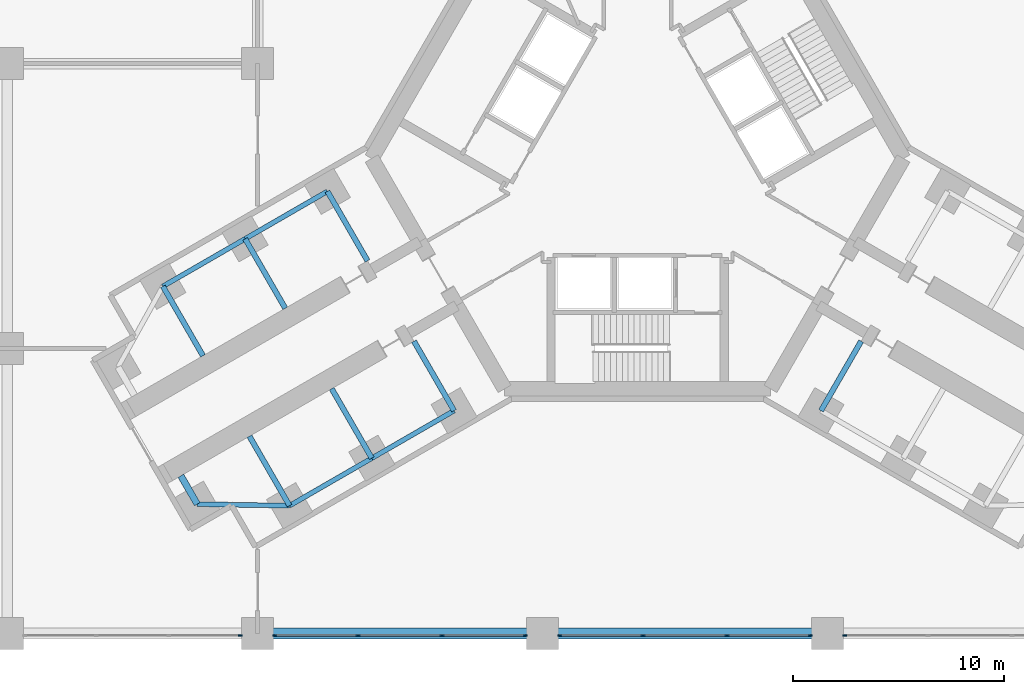
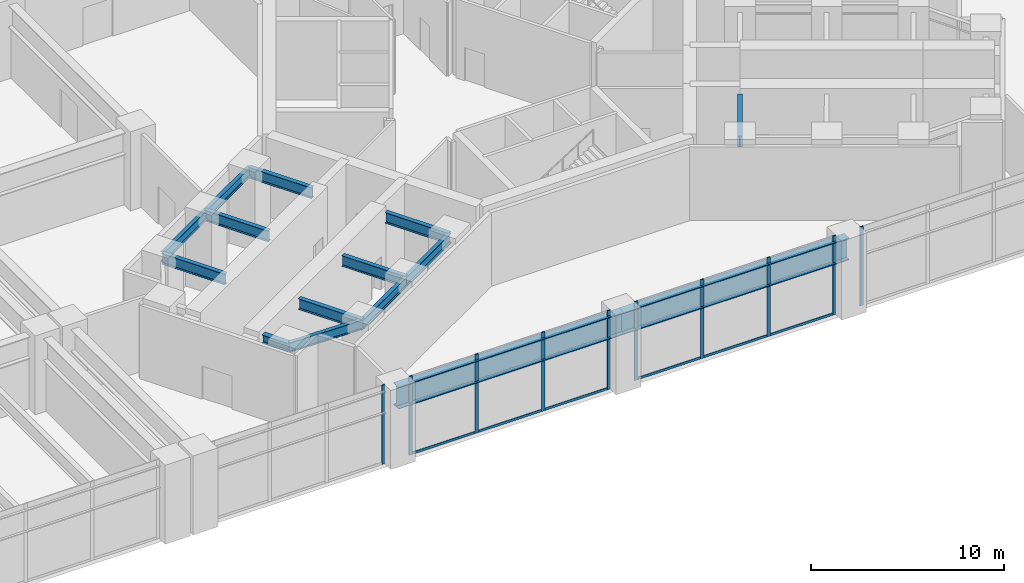
# One storey, part 9 of 32: 16 members, 15 beams, 4 elements without a shape of their own.
"""IFC4 building model written with IfcOpenShell, lengths in metres."""

import ifcopenshell
import ifcopenshell.guid

model = None  # the IFC model being written
_history = None  # IfcOwnerHistory: only IFC2X3 demands one
_inside = {}  # id of a spatial element -> (the spatial element, [elements in it])
_under = {}  # id of a project, library or spatial element -> (it, [spatial elements below it])
_declared = {}  # id of a project -> (the project, [libraries it declares])
_typed = {}  # id of a type object -> (the type object, [elements of that type])
_made_of = {}  # id of a material, layer set ... -> (it, [elements and type objects made of it])


def new_model(schema):
    """Start an empty IFC model of exactly this schema.

    Asked for "IFC4X3", IfcOpenShell would pick the latest addendum, in which some entities
    have other attributes; the version numbers below select the first issue.
    IFC2X3 requires an IfcOwnerHistory on every rooted entity: one is made here for all.
    """
    global model, _history
    if schema == "IFC4X3":
        model = ifcopenshell.file(schema_version=(4, 3, 0, 0))
    else:
        model = ifcopenshell.file(schema=schema)
    _inside.clear()
    _under.clear()
    _declared.clear()
    _typed.clear()
    _made_of.clear()
    _history = None
    if model.schema == "IFC2X3":
        org = make("IfcOrganization", Name="unknown")
        user = make(
            "IfcPersonAndOrganization",
            ThePerson=make("IfcPerson", FamilyName="unknown"),
            TheOrganization=org,
        )
        app = make(
            "IfcApplication",
            ApplicationDeveloper=org,
            Version="unknown",
            ApplicationFullName="unknown",
            ApplicationIdentifier="unknown",
        )
        _history = make(
            "IfcOwnerHistory",
            OwningUser=user,
            OwningApplication=app,
            ChangeAction="ADDED",
            CreationDate=0,
        )
    return model


def make(cls, **values):
    """One entity of the class cls with the attributes given. An attribute that is None is left unset."""
    return model.create_entity(
        cls, **{name: value for name, value in values.items() if value is not None}
    )


def rooted(cls, **values):
    """An entity with a GlobalId (a new one), such as an element, a storey or a relation."""
    return make(cls, GlobalId=ifcopenshell.guid.new(), OwnerHistory=_history, **values)


def si_unit(unit_type, name, prefix=None):
    """IfcSIUnit, for example si_unit("LENGTHUNIT", "METRE", prefix="MILLI")."""
    return make("IfcSIUnit", UnitType=unit_type, Prefix=prefix, Name=name)


def assignment(units):
    """IfcUnitAssignment: the units of a project."""
    return None if units is None else make("IfcUnitAssignment", Units=units)


def point(xyz):
    """IfcCartesianPoint."""
    return None if xyz is None else make("IfcCartesianPoint", Coordinates=xyz)


def direction(xyz):
    """IfcDirection."""
    return None if xyz is None else make("IfcDirection", DirectionRatios=xyz)


def frame(location, z_axis=None, x_axis=None):
    """IfcAxis2Placement3D, a coordinate frame: its origin and axes. An axis left out is left unset."""
    return make(
        "IfcAxis2Placement3D",
        Location=point(location),
        Axis=direction(z_axis),
        RefDirection=direction(x_axis),
    )


def frame_2d(location, x_axis=None):
    """IfcAxis2Placement2D, a coordinate frame in the plane: its origin and x axis."""
    return make(
        "IfcAxis2Placement2D", Location=point(location), RefDirection=direction(x_axis)
    )


def origin():
    """The frame at (0, 0, 0) with its axes left unset."""
    return frame((0.0, 0.0, 0.0))


def origin_2d():
    """The frame at (0, 0) in the plane with its x axis left unset."""
    return frame_2d((0.0, 0.0))


def place(relative_to, where):
    """IfcLocalPlacement: puts the frame where relative to a parent placement (None: the world)."""
    return make(
        "IfcLocalPlacement", PlacementRelTo=relative_to, RelativePlacement=where
    )


def context(
    kind, dimensions, precision=None, world=None, true_north=None, identifier=None
):
    """IfcGeometricRepresentationContext, for example the 3D "Model" context."""
    return make(
        "IfcGeometricRepresentationContext",
        ContextIdentifier=identifier,
        ContextType=kind,
        CoordinateSpaceDimension=dimensions,
        Precision=precision,
        WorldCoordinateSystem=world,
        TrueNorth=true_north,
    )


def subcontext(parent, identifier, kind, view, scale=None):
    """IfcGeometricRepresentationSubContext, for example "Body" below "Model"."""
    return make(
        "IfcGeometricRepresentationSubContext",
        ContextIdentifier=identifier,
        ContextType=kind,
        ParentContext=parent,
        TargetScale=scale,
        TargetView=view,
    )


def project(units=None, contexts=None):
    """IfcProject with its units and contexts."""
    return rooted(
        "IfcProject",
        Name="project",
        RepresentationContexts=contexts,
        UnitsInContext=assignment(units),
    )


def spatial(cls, under=None, at=None, **own):
    """A site, building, storey or space (cls), placed at a placement, below another one or the project."""
    s = rooted(cls, ObjectPlacement=at, **own)
    if under is not None:
        _under.setdefault(under.id(), (under, []))[1].append(s)
    return s


def profile(cls, at=None, kind="AREA", **sizes):
    """A parametric profile (cls). Its sizes go by their IFC names, for example OverallWidth=200.0."""
    return make(cls, ProfileType=kind, Position=at, **sizes)


def rectangle(**sizes):
    """IfcRectangleProfileDef."""
    return profile("IfcRectangleProfileDef", **sizes)


def i_section(**sizes):
    """IfcIShapeProfileDef."""
    return profile("IfcIShapeProfileDef", **sizes)


def extrude(swept, where, along, depth):
    """IfcExtrudedAreaSolid: the profile swept, set in the frame where, extruded along a direction by depth."""
    return make(
        "IfcExtrudedAreaSolid",
        SweptArea=swept,
        Position=where,
        ExtrudedDirection=direction(along),
        Depth=depth,
    )


def shape(context_of_items, identifier, shape_type, items):
    """IfcShapeRepresentation: the items that make up one representation, for example the "Body"."""
    return make(
        "IfcShapeRepresentation",
        ContextOfItems=context_of_items,
        RepresentationIdentifier=identifier,
        RepresentationType=shape_type,
        Items=items,
    )


def material(Name=None, Category=None):
    """IfcMaterial."""
    return make("IfcMaterial", Name=Name, Category=Category)


def material_profile(
    of_material, cross_section, Name=None, Category=None, Priority=None
):
    """IfcMaterialProfile: a cross section and its material."""
    return make(
        "IfcMaterialProfile",
        Name=Name,
        Material=of_material,
        Profile=cross_section,
        Priority=Priority,
        Category=Category,
    )


def profile_set(profiles, Name=None, composite=None):
    """IfcMaterialProfileSet."""
    return make(
        "IfcMaterialProfileSet",
        Name=Name,
        MaterialProfiles=profiles,
        CompositeProfile=composite,
    )


def made_of(thing, what):
    """Note that an element or type object is made of a material, layer set ...; save() writes the relation."""
    if what is not None:
        _made_of.setdefault(what.id(), (what, []))[1].append(thing)
    return thing


def type_object(cls, material=None, **own):
    """A type object (cls), such as IfcWallType, which elements share."""
    return made_of(rooted(cls, **own), material)


def element(
    cls,
    number,
    at=None,
    inside=None,
    cuts=None,
    type_object=None,
    material=None,
    context=None,
    identifier="Body",
    shape_type=None,
    held_by="IfcProductDefinitionShape",
    body=None,
    shapes=None,
    **own,
):
    """One element of the class cls, such as IfcWall. Its Tag is "e" and its number.

    at: its placement. inside: the storey or other place that contains it. cuts: it is an
    opening in that element (IfcRelVoidsElement). A single representation is given by context,
    identifier, shape_type and body (its items); several are given by shapes. held_by: the class
    of the entity that holds the representations. save() writes the other relations.
    """
    e = rooted(cls, Tag="e%d" % number, ObjectPlacement=at, **own)
    if body is not None:
        shapes = [shape(context, identifier, shape_type, body)]
    if shapes is not None:
        e.Representation = make(held_by, Representations=shapes)
    if inside is not None:
        _inside.setdefault(inside.id(), (inside, []))[1].append(e)
    if cuts is not None:
        rooted(
            "IfcRelVoidsElement", RelatingBuildingElement=cuts, RelatedOpeningElement=e
        )
    if type_object is not None:
        _typed.setdefault(type_object.id(), (type_object, []))[1].append(e)
    return made_of(e, material)


def aggregate(whole, parts):
    """IfcRelAggregates: a whole, such as a stair, and the parts it consists of."""
    return rooted("IfcRelAggregates", RelatingObject=whole, RelatedObjects=parts)


def save(model, path):
    """Write the relations noted so far, then the file.

    IfcRelAggregates (storeys below a building ...), IfcRelContainedInSpatialStructure (elements
    in a storey), IfcRelDefinesByType, IfcRelAssociatesMaterial and IfcRelDeclares: one each for
    every whole, place, type object, material and project.
    """
    for whole, parts in _under.values():
        aggregate(whole, parts)
    for where, things in _inside.values():
        rooted(
            "IfcRelContainedInSpatialStructure",
            RelatedElements=things,
            RelatingStructure=where,
        )
    for kind, things in _typed.values():
        rooted("IfcRelDefinesByType", RelatedObjects=things, RelatingType=kind)
    for what, things in _made_of.values():
        rooted("IfcRelAssociatesMaterial", RelatedObjects=things, RelatingMaterial=what)
    for by, libraries in _declared.values():
        rooted("IfcRelDeclares", RelatingContext=by, RelatedDefinitions=libraries)
    model.write(path)


model = new_model("IFC4")

# Units and contexts
model_context = context("Model", 3, precision=1e-05, world=origin(), true_north=direction((0.0, 1.0)))
body_context = subcontext(model_context, "Body", "Model", "MODEL_VIEW")
ifc_project = project(units=[si_unit("LENGTHUNIT", "METRE"), si_unit("AREAUNIT", "SQUARE_METRE"), si_unit("VOLUMEUNIT", "CUBIC_METRE"), si_unit("PLANEANGLEUNIT", "RADIAN"), si_unit("MASSUNIT", "GRAM", prefix="KILO")], contexts=[model_context])

# Site, building, storey
site_placement = place(None, origin())
site = spatial("IfcSite", under=ifc_project, at=site_placement, CompositionType="ELEMENT")
building_placement = place(site_placement, origin())
building = spatial("IfcBuilding", under=site, at=building_placement, Name="Upepo Twin Towers", CompositionType="ELEMENT")
storey_placement = place(building_placement, frame((0.0, 0.0, 10.5)))
storey = spatial("IfcBuildingStorey", under=building, at=storey_placement, Name="L02", CompositionType="ELEMENT", Elevation=10.5)

# Beams
ifc_material_1 = material(Name="Steel S355", Category="steel")
ifc_material_profile_1 = material_profile(ifc_material_1, i_section(OverallWidth=0.5, OverallDepth=1.39990234375, WebThickness=0.02490234375, FlangeThickness=0.050048828125, FilletRadius=0.008056640625, at=origin_2d()), Name="PG 1400x500x25x50")
ifc_profile_set_1 = profile_set([ifc_material_profile_1], Name="Steel S355")
beam_type_1 = type_object("IfcBeamType", Name="Beam PG 1400x500x25x50", PredefinedType="BEAM", material=ifc_profile_set_1)
for number, where, z_axis, x_axis, name in (
    (1, (40.5, -40.5, 3.949951171875), (1.0, 0.0, 0.0), (0.0, 1.0, 0.0), "Podium girder A/6-7"),
    (2, (54.0, -40.5, 3.949951171875), (1.0, 0.0, 0.0), (0.0, 1.0, 0.0), "Podium girder A/7-8"),
):
    element("IfcBeam", number, at=place(storey_placement, frame(where, z_axis=z_axis, x_axis=x_axis)), inside=storey, type_object=beam_type_1, Name=name, PredefinedType="BEAM", context=body_context, shape_type="SweptSolid", body=[
        extrude(i_section(OverallWidth=0.5, OverallDepth=1.39990234375, WebThickness=0.02490234375, FlangeThickness=0.050048828125, FilletRadius=0.008056640625, at=origin_2d()), origin(), (0.0, 0.0, 1.0), 13.5),
    ])
ifc_material_2 = material(Name="Steel S355", Category="steel")
ifc_material_profile_2 = material_profile(ifc_material_2, i_section(OverallWidth=0.31201171875, OverallDepth=0.54345703125, WebThickness=0.0126953125, FlangeThickness=0.020263671875, FilletRadius=0.0126953125, at=origin_2d()), Name="UB 533x312x150")
ifc_profile_set_2 = profile_set([ifc_material_profile_2], Name="Steel S355")
beam_type_2 = type_object("IfcBeamType", Name="Beam UB 533x312x150", PredefinedType="BEAM", material=ifc_profile_set_2)
beam_1_placement = place(storey_placement, frame((37.641845703125, -34.37255859375, 4.378173828125), z_axis=(-0.499967891604, 0.866043940782, 0.0), x_axis=(-0.866043940782, -0.499967891604, 0.0)))
element("IfcBeam", 3, at=beam_1_placement, inside=storey, type_object=beam_type_2, Name="T2 nose beam BL", PredefinedType="BEAM", context=body_context, shape_type="SweptSolid", body=[
    extrude(i_section(OverallWidth=0.31201171875, OverallDepth=0.54345703125, WebThickness=0.0126953125, FlangeThickness=0.020263671875, FilletRadius=0.0126953125, at=origin_2d()), origin(), (0.0, 0.0, 1.0), 1.5498046875),
])
ifc_material_3 = material(Name="Steel S355", Category="steel")
ifc_material_profile_3 = material_profile(ifc_material_3, i_section(OverallWidth=0.228271484375, OverallDepth=0.607666015625, WebThickness=0.010986328125, FlangeThickness=0.017333984375, FilletRadius=0.0126953125, at=origin_2d()), Name="UB 610x229x113")
ifc_profile_set_3 = profile_set([ifc_material_profile_3], Name="Steel S355")
beam_type_3 = type_object("IfcBeamType", Name="Beam UB 610x229x113", PredefinedType="BEAM", material=ifc_profile_set_3)
beam_2_placement = place(storey_placement, frame((49.80859375, -29.946044921875, 4.34619140625), z_axis=(-0.866017533419, -0.500013631625, 0.0), x_axis=(0.500013631625, -0.866017533419, 0.0)))
element("IfcBeam", 4, at=beam_2_placement, inside=storey, type_object=beam_type_3, Name="T2 edge beam BL 13.5-18.0", PredefinedType="BEAM", context=body_context, shape_type="SweptSolid", body=[
    extrude(i_section(OverallWidth=0.228271484375, OverallDepth=0.607666015625, WebThickness=0.010986328125, FlangeThickness=0.017333984375, FilletRadius=0.0126953125, at=origin_2d()), origin(), (0.0, 0.0, 1.0), 4.499755859375),
])
beam_3_placement = place(storey_placement, frame((45.91162109375, -32.196044921875, 4.34619140625), z_axis=(-0.866031096941, -0.499990139034, 0.0), x_axis=(0.499990139034, -0.866031096941, 0.0)))
element("IfcBeam", 5, at=beam_3_placement, inside=storey, type_object=beam_type_3, Name="T2 edge beam BL 18.0-22.5", PredefinedType="BEAM", context=body_context, shape_type="SweptSolid", body=[
    extrude(i_section(OverallWidth=0.228271484375, OverallDepth=0.607666015625, WebThickness=0.010986328125, FlangeThickness=0.017333984375, FilletRadius=0.0126953125, at=origin_2d()), origin(), (0.0, 0.0, 1.0), 4.5),
])
beam_4_placement = place(storey_placement, frame((42.014404296875, -34.446044921875, 4.34619140625), z_axis=(-0.999858804832, 0.016803880528, 0.0), x_axis=(-0.016803880528, -0.999858804832, 0.0)))
element("IfcBeam", 6, at=beam_4_placement, inside=storey, type_object=beam_type_3, Name="T2 nose edge beam BL", PredefinedType="BEAM", context=body_context, shape_type="SweptSolid", body=[
    extrude(i_section(OverallWidth=0.228271484375, OverallDepth=0.607666015625, WebThickness=0.010986328125, FlangeThickness=0.017333984375, FilletRadius=0.0126953125, at=origin_2d()), origin(), (0.0, 0.0, 1.0), 4.373291015625),
])
beam_5_placement = place(storey_placement, frame((43.80859375, -19.553955078125, 4.34619140625), z_axis=(-0.866017533419, -0.500013631625, 0.0), x_axis=(0.500013631625, -0.866017533419, 0.0)))
element("IfcBeam", 7, at=beam_5_placement, inside=storey, type_object=beam_type_3, Name="T2 edge beam BR 13.5-18.0", PredefinedType="BEAM", context=body_context, shape_type="SweptSolid", body=[
    extrude(i_section(OverallWidth=0.228271484375, OverallDepth=0.607666015625, WebThickness=0.010986328125, FlangeThickness=0.017333984375, FilletRadius=0.0126953125, at=origin_2d()), origin(), (0.0, 0.0, 1.0), 4.499755859375),
])
beam_6_placement = place(storey_placement, frame((39.91162109375, -21.803955078125, 4.34619140625), z_axis=(-0.866031096941, -0.499990139034, 0.0), x_axis=(0.499990139034, -0.866031096941, 0.0)))
element("IfcBeam", 8, at=beam_6_placement, inside=storey, type_object=beam_type_3, Name="T2 edge beam BR 18.0-22.5", PredefinedType="BEAM", context=body_context, shape_type="SweptSolid", body=[
    extrude(i_section(OverallWidth=0.228271484375, OverallDepth=0.607666015625, WebThickness=0.010986328125, FlangeThickness=0.017333984375, FilletRadius=0.0126953125, at=origin_2d()), origin(), (0.0, 0.0, 1.0), 4.5),
])
ifc_material_4 = material(Name="Steel S355", Category="steel")
ifc_material_profile_4 = material_profile(ifc_material_4, i_section(OverallWidth=0.253662109375, OverallDepth=0.68359375, WebThickness=0.012451171875, FlangeThickness=0.01904296875, FilletRadius=0.01513671875, at=origin_2d()), Name="UB 686x254x140")
ifc_profile_set_4 = profile_set([ifc_material_profile_4], Name="Steel S355")
beam_type_4 = type_object("IfcBeamType", Name="Beam UB 686x254x140", PredefinedType="BEAM", material=ifc_profile_set_4)
beam_7_placement = place(storey_placement, frame((49.80859375, -29.946044921875, 4.308349609375), z_axis=(-0.499994975061, 0.866028304915, 0.0), x_axis=(-0.866028304915, -0.499994975061, 0.0)))
element("IfcBeam", 9, at=beam_7_placement, inside=storey, type_object=beam_type_4, Name="T2 girder BL at 13.5", PredefinedType="BEAM", context=body_context, shape_type="SweptSolid", body=[
    extrude(i_section(OverallWidth=0.253662109375, OverallDepth=0.68359375, WebThickness=0.012451171875, FlangeThickness=0.01904296875, FilletRadius=0.01513671875, at=origin_2d()), origin(), (0.0, 0.0, 1.0), 3.7998046875),
])
beam_8_placement = place(storey_placement, frame((45.91162109375, -32.196044921875, 4.308349609375), z_axis=(-0.500043160704, 0.866000483506, 0.0), x_axis=(-0.866000483506, -0.500043160704, 0.0)))
element("IfcBeam", 10, at=beam_8_placement, inside=storey, type_object=beam_type_4, Name="T2 girder BL at 18.0", PredefinedType="BEAM", context=body_context, shape_type="SweptSolid", body=[
    extrude(i_section(OverallWidth=0.253662109375, OverallDepth=0.68359375, WebThickness=0.012451171875, FlangeThickness=0.01904296875, FilletRadius=0.01513671875, at=origin_2d()), origin(), (0.0, 0.0, 1.0), 3.800048828125),
])
beam_9_placement = place(storey_placement, frame((42.014404296875, -34.446044921875, 4.308349609375), z_axis=(-0.499994975061, 0.866028304915, 0.0), x_axis=(-0.866028304915, -0.499994975061, 0.0)))
element("IfcBeam", 11, at=beam_9_placement, inside=storey, type_object=beam_type_4, Name="T2 girder BL at 22.5", PredefinedType="BEAM", context=body_context, shape_type="SweptSolid", body=[
    extrude(i_section(OverallWidth=0.253662109375, OverallDepth=0.68359375, WebThickness=0.012451171875, FlangeThickness=0.01904296875, FilletRadius=0.01513671875, at=origin_2d()), origin(), (0.0, 0.0, 1.0), 3.7998046875),
])
beam_10_placement = place(storey_placement, frame((43.80859375, -19.553955078125, 4.308349609375), z_axis=(0.500043160704, -0.866000483506, 0.0), x_axis=(0.866000483506, 0.500043160704, 0.0)))
element("IfcBeam", 12, at=beam_10_placement, inside=storey, type_object=beam_type_4, Name="T2 girder BR at 13.5", PredefinedType="BEAM", context=body_context, shape_type="SweptSolid", body=[
    extrude(i_section(OverallWidth=0.253662109375, OverallDepth=0.68359375, WebThickness=0.012451171875, FlangeThickness=0.01904296875, FilletRadius=0.01513671875, at=origin_2d()), origin(), (0.0, 0.0, 1.0), 3.800048828125),
])
for number, where, z_axis, x_axis, name in (
    (13, (39.91162109375, -21.803955078125, 4.308349609375), (0.499994975061, -0.866028304915, 0.0), (0.866028304915, 0.499994975061, 0.0), "T2 girder BR at 18.0"),
    (14, (36.014404296875, -24.053955078125, 4.308349609375), (0.499994975061, -0.866028304915, 0.0), (0.866028304915, 0.499994975061, 0.0), "T2 girder BR at 22.5"),
    (15, (67.19140625, -29.946044921875, 4.308349609375), (0.499994975061, 0.866028304915, 0.0), (-0.866028304915, 0.499994975061, 0.0), "T2 girder CR at 13.5"),
):
    element("IfcBeam", number, at=place(storey_placement, frame(where, z_axis=z_axis, x_axis=x_axis)), inside=storey, type_object=beam_type_4, Name=name, PredefinedType="BEAM", context=body_context, shape_type="SweptSolid", body=[
        extrude(i_section(OverallWidth=0.253662109375, OverallDepth=0.68359375, WebThickness=0.012451171875, FlangeThickness=0.01904296875, FilletRadius=0.01513671875, at=origin_2d()), origin(), (0.0, 0.0, 1.0), 3.7998046875),
    ])

# Curtain wall, member
ifc_material_5 = material(Name="Aluminium and clear glass", Category="aluminium")
curtain_wall_type = type_object("IfcCurtainWallType", Name="Podium curtain wall PW1", PredefinedType="NOTDEFINED", material=ifc_material_5)
curtain_wall_1_placement = place(storey_placement, origin())
curtain_wall_1 = element("IfcCurtainWall", 16, at=curtain_wall_1_placement, inside=storey, type_object=curtain_wall_type, Name="Podium L02 curtain wall S5", PredefinedType="NOTDEFINED")
ifc_material_6 = material(Name="Aluminium mullion", Category="aluminium")
ifc_material_profile_5 = material_profile(ifc_material_6, rectangle(XDim=0.06494140625, YDim=0.199951171875, at=origin_2d()), Name="MULLION 65x200 PODIUM")
ifc_profile_set_5 = profile_set([ifc_material_profile_5], Name="Aluminium mullion")
member_type_1 = type_object("IfcMemberType", Name="Mullion 65x200 PW1", PredefinedType="MULLION", material=ifc_profile_set_5)
member_1_placement = place(storey_placement, frame((39.6826171875, -40.60009765625, 0.0), z_axis=(0.0, 0.0, 1.0), x_axis=(0.0, 1.0, 0.0)))
member_1 = element("IfcMember", 17, at=member_1_placement, type_object=member_type_1, Name="Podium L02 curtain wall S5 mullion 4", PredefinedType="MULLION", context=body_context, shape_type="SweptSolid", body=[
    extrude(rectangle(XDim=0.06494140625, YDim=0.199951171875, at=origin_2d()), origin(), (0.0, 0.0, 1.0), 5.0),
])
aggregate(curtain_wall_1, [member_1])

# Curtain wall, members
curtain_wall_2_placement = place(storey_placement, origin())
curtain_wall_2 = element("IfcCurtainWall", 18, at=curtain_wall_2_placement, inside=storey, type_object=curtain_wall_type, Name="Podium L02 curtain wall S6", PredefinedType="NOTDEFINED")
member_2_placement = place(storey_placement, frame((41.3173828125, -40.60009765625, 0.0), z_axis=(0.0, 0.0, 1.0), x_axis=(0.0, 1.0, 0.0)))
member_2 = element("IfcMember", 19, at=member_2_placement, type_object=member_type_1, Name="Podium L02 curtain wall S6 mullion 1", PredefinedType="MULLION", context=body_context, shape_type="SweptSolid", body=[
    extrude(rectangle(XDim=0.06494140625, YDim=0.199951171875, at=origin_2d()), origin(), (0.0, 0.0, 1.0), 5.0),
])
member_3_placement = place(storey_placement, frame((45.26171875, -40.60009765625, 0.0), z_axis=(0.0, 0.0, 1.0), x_axis=(0.0, 1.0, 0.0)))
member_3 = element("IfcMember", 20, at=member_3_placement, type_object=member_type_1, Name="Podium L02 curtain wall S6 mullion 2", PredefinedType="MULLION", context=body_context, shape_type="SweptSolid", body=[
    extrude(rectangle(XDim=0.06494140625, YDim=0.199951171875, at=origin_2d()), origin(), (0.0, 0.0, 1.0), 5.0),
])
member_4_placement = place(storey_placement, frame((49.23828125, -40.60009765625, 0.0), z_axis=(0.0, 0.0, 1.0), x_axis=(0.0, 1.0, 0.0)))
member_4 = element("IfcMember", 21, at=member_4_placement, type_object=member_type_1, Name="Podium L02 curtain wall S6 mullion 3", PredefinedType="MULLION", context=body_context, shape_type="SweptSolid", body=[
    extrude(rectangle(XDim=0.06494140625, YDim=0.199951171875, at=origin_2d()), origin(), (0.0, 0.0, 1.0), 5.0),
])
member_5_placement = place(storey_placement, frame((53.1826171875, -40.60009765625, 0.0), z_axis=(0.0, 0.0, 1.0), x_axis=(0.0, 1.0, 0.0)))
member_5 = element("IfcMember", 22, at=member_5_placement, type_object=member_type_1, Name="Podium L02 curtain wall S6 mullion 4", PredefinedType="MULLION", context=body_context, shape_type="SweptSolid", body=[
    extrude(rectangle(XDim=0.06494140625, YDim=0.199951171875, at=origin_2d()), origin(), (0.0, 0.0, 1.0), 5.0),
])

curtain_wall_3_placement = place(storey_placement, origin())
curtain_wall_3 = element("IfcCurtainWall", 23, at=curtain_wall_3_placement, inside=storey, type_object=curtain_wall_type, Name="Podium L02 curtain wall S7", PredefinedType="NOTDEFINED")
member_6_placement = place(storey_placement, frame((54.8173828125, -40.60009765625, 0.0), z_axis=(0.0, 0.0, 1.0), x_axis=(0.0, 1.0, 0.0)))
member_6 = element("IfcMember", 24, at=member_6_placement, type_object=member_type_1, Name="Podium L02 curtain wall S7 mullion 1", PredefinedType="MULLION", context=body_context, shape_type="SweptSolid", body=[
    extrude(rectangle(XDim=0.06494140625, YDim=0.199951171875, at=origin_2d()), origin(), (0.0, 0.0, 1.0), 5.0),
])
member_7_placement = place(storey_placement, frame((58.76171875, -40.60009765625, 0.0), z_axis=(0.0, 0.0, 1.0), x_axis=(0.0, 1.0, 0.0)))
member_7 = element("IfcMember", 25, at=member_7_placement, type_object=member_type_1, Name="Podium L02 curtain wall S7 mullion 2", PredefinedType="MULLION", context=body_context, shape_type="SweptSolid", body=[
    extrude(rectangle(XDim=0.06494140625, YDim=0.199951171875, at=origin_2d()), origin(), (0.0, 0.0, 1.0), 5.0),
])
member_8_placement = place(storey_placement, frame((62.73828125, -40.60009765625, 0.0), z_axis=(0.0, 0.0, 1.0), x_axis=(0.0, 1.0, 0.0)))
member_8 = element("IfcMember", 26, at=member_8_placement, type_object=member_type_1, Name="Podium L02 curtain wall S7 mullion 3", PredefinedType="MULLION", context=body_context, shape_type="SweptSolid", body=[
    extrude(rectangle(XDim=0.06494140625, YDim=0.199951171875, at=origin_2d()), origin(), (0.0, 0.0, 1.0), 5.0),
])
member_9_placement = place(storey_placement, frame((66.6826171875, -40.60009765625, 0.0), z_axis=(0.0, 0.0, 1.0), x_axis=(0.0, 1.0, 0.0)))
member_9 = element("IfcMember", 27, at=member_9_placement, type_object=member_type_1, Name="Podium L02 curtain wall S7 mullion 4", PredefinedType="MULLION", context=body_context, shape_type="SweptSolid", body=[
    extrude(rectangle(XDim=0.06494140625, YDim=0.199951171875, at=origin_2d()), origin(), (0.0, 0.0, 1.0), 5.0),
])

# Curtain wall, member
curtain_wall_4_placement = place(storey_placement, origin())
curtain_wall_4 = element("IfcCurtainWall", 28, at=curtain_wall_4_placement, inside=storey, type_object=curtain_wall_type, Name="Podium L02 curtain wall S8", PredefinedType="NOTDEFINED")
member_10_placement = place(storey_placement, frame((68.3173828125, -40.60009765625, 0.0), z_axis=(0.0, 0.0, 1.0), x_axis=(0.0, 1.0, 0.0)))
member_10 = element("IfcMember", 29, at=member_10_placement, type_object=member_type_1, Name="Podium L02 curtain wall S8 mullion 1", PredefinedType="MULLION", context=body_context, shape_type="SweptSolid", body=[
    extrude(rectangle(XDim=0.06494140625, YDim=0.199951171875, at=origin_2d()), origin(), (0.0, 0.0, 1.0), 5.0),
])
aggregate(curtain_wall_4, [member_10])

# Member
ifc_material_7 = material(Name="Aluminium transom", Category="aluminium")
ifc_material_profile_6 = material_profile(ifc_material_7, rectangle(XDim=0.06494140625, YDim=0.14990234375, at=origin_2d()), Name="TRANSOM 65x150 PODIUM")
ifc_profile_set_6 = profile_set([ifc_material_profile_6], Name="Aluminium transom")
member_type_2 = type_object("IfcMemberType", Name="Transom 65x150 PW1", PredefinedType="USERDEFINED", material=ifc_profile_set_6)
member_11_placement = place(storey_placement, frame((41.35009765625, -40.60009765625, 0.074951171875), z_axis=(1.0, 0.0, 0.0), x_axis=(0.0, 1.0, 0.0)))
member_11 = element("IfcMember", 30, at=member_11_placement, type_object=member_type_2, Name="Podium L02 curtain wall S6 transom 1", ObjectType="TRANSOM", PredefinedType="USERDEFINED", context=body_context, shape_type="SweptSolid", body=[
    extrude(rectangle(XDim=0.06494140625, YDim=0.14990234375, at=origin_2d()), origin(), (0.0, 0.0, 1.0), 3.879150390625),
])

member_12_placement = place(storey_placement, frame((45.294189453125, -40.60009765625, 0.074951171875), z_axis=(1.0, 0.0, 0.0), x_axis=(0.0, 1.0, 0.0)))
member_12 = element("IfcMember", 31, at=member_12_placement, type_object=member_type_2, Name="Podium L02 curtain wall S6 transom 2", ObjectType="TRANSOM", PredefinedType="USERDEFINED", context=body_context, shape_type="SweptSolid", body=[
    extrude(rectangle(XDim=0.06494140625, YDim=0.14990234375, at=origin_2d()), origin(), (0.0, 0.0, 1.0), 3.91162109375),
])

member_13_placement = place(storey_placement, frame((49.270751953125, -40.60009765625, 0.074951171875), z_axis=(1.0, 0.0, 0.0), x_axis=(0.0, 1.0, 0.0)))
member_13 = element("IfcMember", 32, at=member_13_placement, type_object=member_type_2, Name="Podium L02 curtain wall S6 transom 3", ObjectType="TRANSOM", PredefinedType="USERDEFINED", context=body_context, shape_type="SweptSolid", body=[
    extrude(rectangle(XDim=0.06494140625, YDim=0.14990234375, at=origin_2d()), origin(), (0.0, 0.0, 1.0), 3.879150390625),
])

aggregate(curtain_wall_2, [member_2, member_3, member_4, member_5, member_11, member_12, member_13])

member_14_placement = place(storey_placement, frame((54.85009765625, -40.60009765625, 0.074951171875), z_axis=(1.0, 0.0, 0.0), x_axis=(0.0, 1.0, 0.0)))
member_14 = element("IfcMember", 33, at=member_14_placement, type_object=member_type_2, Name="Podium L02 curtain wall S7 transom 1", ObjectType="TRANSOM", PredefinedType="USERDEFINED", context=body_context, shape_type="SweptSolid", body=[
    extrude(rectangle(XDim=0.06494140625, YDim=0.14990234375, at=origin_2d()), origin(), (0.0, 0.0, 1.0), 3.879150390625),
])

member_15_placement = place(storey_placement, frame((58.794189453125, -40.60009765625, 0.074951171875), z_axis=(1.0, 0.0, 0.0), x_axis=(0.0, 1.0, 0.0)))
member_15 = element("IfcMember", 34, at=member_15_placement, type_object=member_type_2, Name="Podium L02 curtain wall S7 transom 2", ObjectType="TRANSOM", PredefinedType="USERDEFINED", context=body_context, shape_type="SweptSolid", body=[
    extrude(rectangle(XDim=0.06494140625, YDim=0.14990234375, at=origin_2d()), origin(), (0.0, 0.0, 1.0), 3.91162109375),
])

member_16_placement = place(storey_placement, frame((62.770751953125, -40.60009765625, 0.074951171875), z_axis=(1.0, 0.0, 0.0), x_axis=(0.0, 1.0, 0.0)))
member_16 = element("IfcMember", 35, at=member_16_placement, type_object=member_type_2, Name="Podium L02 curtain wall S7 transom 3", ObjectType="TRANSOM", PredefinedType="USERDEFINED", context=body_context, shape_type="SweptSolid", body=[
    extrude(rectangle(XDim=0.06494140625, YDim=0.14990234375, at=origin_2d()), origin(), (0.0, 0.0, 1.0), 3.879150390625),
])

aggregate(curtain_wall_3, [member_6, member_7, member_8, member_9, member_14, member_15, member_16])

save(model, "model.ifc")
